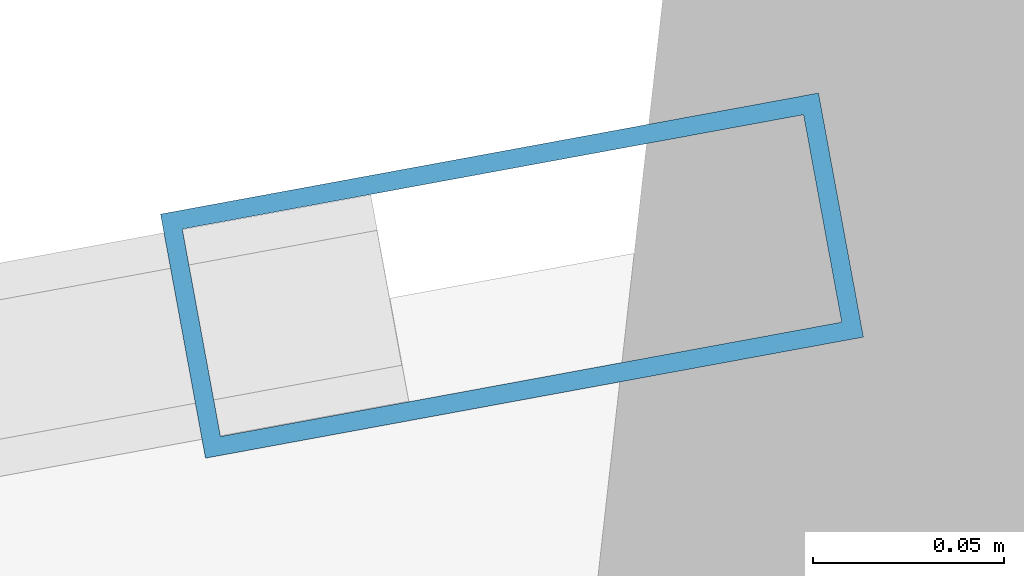
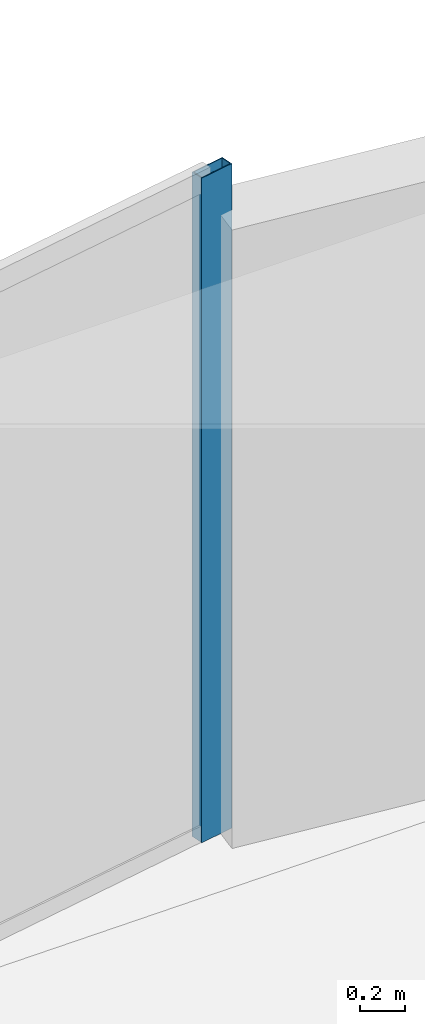
# One storey, part 18 of 25: 1 member, 1 element without a shape of its own.
"""IFC4 building model written with IfcOpenShell, lengths in metres."""

import ifcopenshell
import ifcopenshell.guid

model = None  # the IFC model being written
_history = None  # IfcOwnerHistory: only IFC2X3 demands one
_inside = {}  # id of a spatial element -> (the spatial element, [elements in it])
_under = {}  # id of a project, library or spatial element -> (it, [spatial elements below it])
_declared = {}  # id of a project -> (the project, [libraries it declares])
_typed = {}  # id of a type object -> (the type object, [elements of that type])
_made_of = {}  # id of a material, layer set ... -> (it, [elements and type objects made of it])


def new_model(schema):
    """Start an empty IFC model of exactly this schema.

    Asked for "IFC4X3", IfcOpenShell would pick the latest addendum, in which some entities
    have other attributes; the version numbers below select the first issue.
    IFC2X3 requires an IfcOwnerHistory on every rooted entity: one is made here for all.
    """
    global model, _history
    if schema == "IFC4X3":
        model = ifcopenshell.file(schema_version=(4, 3, 0, 0))
    else:
        model = ifcopenshell.file(schema=schema)
    _inside.clear()
    _under.clear()
    _declared.clear()
    _typed.clear()
    _made_of.clear()
    _history = None
    if model.schema == "IFC2X3":
        org = make("IfcOrganization", Name="unknown")
        user = make(
            "IfcPersonAndOrganization",
            ThePerson=make("IfcPerson", FamilyName="unknown"),
            TheOrganization=org,
        )
        app = make(
            "IfcApplication",
            ApplicationDeveloper=org,
            Version="unknown",
            ApplicationFullName="unknown",
            ApplicationIdentifier="unknown",
        )
        _history = make(
            "IfcOwnerHistory",
            OwningUser=user,
            OwningApplication=app,
            ChangeAction="ADDED",
            CreationDate=0,
        )
    return model


def make(cls, **values):
    """One entity of the class cls with the attributes given. An attribute that is None is left unset."""
    return model.create_entity(
        cls, **{name: value for name, value in values.items() if value is not None}
    )


def rooted(cls, **values):
    """An entity with a GlobalId (a new one), such as an element, a storey or a relation."""
    return make(cls, GlobalId=ifcopenshell.guid.new(), OwnerHistory=_history, **values)


def si_unit(unit_type, name, prefix=None):
    """IfcSIUnit, for example si_unit("LENGTHUNIT", "METRE", prefix="MILLI")."""
    return make("IfcSIUnit", UnitType=unit_type, Prefix=prefix, Name=name)


def assignment(units):
    """IfcUnitAssignment: the units of a project."""
    return None if units is None else make("IfcUnitAssignment", Units=units)


def point(xyz):
    """IfcCartesianPoint."""
    return None if xyz is None else make("IfcCartesianPoint", Coordinates=xyz)


def direction(xyz):
    """IfcDirection."""
    return None if xyz is None else make("IfcDirection", DirectionRatios=xyz)


def frame(location, z_axis=None, x_axis=None):
    """IfcAxis2Placement3D, a coordinate frame: its origin and axes. An axis left out is left unset."""
    return make(
        "IfcAxis2Placement3D",
        Location=point(location),
        Axis=direction(z_axis),
        RefDirection=direction(x_axis),
    )


def frame_2d(location, x_axis=None):
    """IfcAxis2Placement2D, a coordinate frame in the plane: its origin and x axis."""
    return make(
        "IfcAxis2Placement2D", Location=point(location), RefDirection=direction(x_axis)
    )


def origin():
    """The frame at (0, 0, 0) with its axes left unset."""
    return frame((0.0, 0.0, 0.0))


def origin_2d():
    """The frame at (0, 0) in the plane with its x axis left unset."""
    return frame_2d((0.0, 0.0))


def place(relative_to, where):
    """IfcLocalPlacement: puts the frame where relative to a parent placement (None: the world)."""
    return make(
        "IfcLocalPlacement", PlacementRelTo=relative_to, RelativePlacement=where
    )


def context(
    kind, dimensions, precision=None, world=None, true_north=None, identifier=None
):
    """IfcGeometricRepresentationContext, for example the 3D "Model" context."""
    return make(
        "IfcGeometricRepresentationContext",
        ContextIdentifier=identifier,
        ContextType=kind,
        CoordinateSpaceDimension=dimensions,
        Precision=precision,
        WorldCoordinateSystem=world,
        TrueNorth=true_north,
    )


def subcontext(parent, identifier, kind, view, scale=None):
    """IfcGeometricRepresentationSubContext, for example "Body" below "Model"."""
    return make(
        "IfcGeometricRepresentationSubContext",
        ContextIdentifier=identifier,
        ContextType=kind,
        ParentContext=parent,
        TargetScale=scale,
        TargetView=view,
    )


def project(units=None, contexts=None):
    """IfcProject with its units and contexts."""
    return rooted(
        "IfcProject",
        Name="project",
        RepresentationContexts=contexts,
        UnitsInContext=assignment(units),
    )


def spatial(cls, under=None, at=None, **own):
    """A site, building, storey or space (cls), placed at a placement, below another one or the project."""
    s = rooted(cls, ObjectPlacement=at, **own)
    if under is not None:
        _under.setdefault(under.id(), (under, []))[1].append(s)
    return s


def profile(cls, at=None, kind="AREA", **sizes):
    """A parametric profile (cls). Its sizes go by their IFC names, for example OverallWidth=200.0."""
    return make(cls, ProfileType=kind, Position=at, **sizes)


def hollow_rectangle(**sizes):
    """IfcRectangleHollowProfileDef."""
    return profile("IfcRectangleHollowProfileDef", **sizes)


def extrude(swept, where, along, depth):
    """IfcExtrudedAreaSolid: the profile swept, set in the frame where, extruded along a direction by depth."""
    return make(
        "IfcExtrudedAreaSolid",
        SweptArea=swept,
        Position=where,
        ExtrudedDirection=direction(along),
        Depth=depth,
    )


def shape(context_of_items, identifier, shape_type, items):
    """IfcShapeRepresentation: the items that make up one representation, for example the "Body"."""
    return make(
        "IfcShapeRepresentation",
        ContextOfItems=context_of_items,
        RepresentationIdentifier=identifier,
        RepresentationType=shape_type,
        Items=items,
    )


def source(mapping_origin, context_of_items, identifier, shape_type, items):
    """IfcRepresentationMap: a shape defined once, which mapped items show again and again."""
    return make(
        "IfcRepresentationMap",
        MappingOrigin=mapping_origin,
        MappedRepresentation=shape(context_of_items, identifier, shape_type, items),
    )


def transform(
    local_origin,
    x_axis=None,
    y_axis=None,
    z_axis=None,
    scale=None,
    scale2=None,
    scale3=None,
    uniform=True,
):
    """IfcCartesianTransformationOperator3D, or its non-uniform kind. x_axis, y_axis, z_axis: its Axis1, 2, 3."""
    if uniform:
        return make(
            "IfcCartesianTransformationOperator3D",
            Axis1=direction(x_axis),
            Axis2=direction(y_axis),
            LocalOrigin=point(local_origin),
            Scale=scale,
            Axis3=direction(z_axis),
        )
    return make(
        "IfcCartesianTransformationOperator3DnonUniform",
        Axis1=direction(x_axis),
        Axis2=direction(y_axis),
        LocalOrigin=point(local_origin),
        Scale=scale,
        Axis3=direction(z_axis),
        Scale2=scale2,
        Scale3=scale3,
    )


def mapped(mapping_source, mapping_target):
    """IfcMappedItem: shows the shape of a source again, moved by a transform."""
    return make(
        "IfcMappedItem", MappingSource=mapping_source, MappingTarget=mapping_target
    )


def material(Name=None, Category=None):
    """IfcMaterial."""
    return make("IfcMaterial", Name=Name, Category=Category)


def layer(
    of_material, thickness, ventilated=None, Name=None, Category=None, Priority=None
):
    """IfcMaterialLayer: one layer of a wall or slab, of a material (None: an air gap)."""
    return make(
        "IfcMaterialLayer",
        Material=of_material,
        LayerThickness=thickness,
        IsVentilated=ventilated,
        Name=Name,
        Category=Category,
        Priority=Priority,
    )


def layer_set(layers, Name=None):
    """IfcMaterialLayerSet."""
    return make("IfcMaterialLayerSet", MaterialLayers=layers, LayerSetName=Name)


def material_profile(
    of_material, cross_section, Name=None, Category=None, Priority=None
):
    """IfcMaterialProfile: a cross section and its material."""
    return make(
        "IfcMaterialProfile",
        Name=Name,
        Material=of_material,
        Profile=cross_section,
        Priority=Priority,
        Category=Category,
    )


def profile_set(profiles, Name=None, composite=None):
    """IfcMaterialProfileSet."""
    return make(
        "IfcMaterialProfileSet",
        Name=Name,
        MaterialProfiles=profiles,
        CompositeProfile=composite,
    )


def made_of(thing, what):
    """Note that an element or type object is made of a material, layer set ...; save() writes the relation."""
    if what is not None:
        _made_of.setdefault(what.id(), (what, []))[1].append(thing)
    return thing


def type_object(cls, material=None, **own):
    """A type object (cls), such as IfcWallType, which elements share."""
    return made_of(rooted(cls, **own), material)


def element(
    cls,
    number,
    at=None,
    inside=None,
    cuts=None,
    type_object=None,
    material=None,
    context=None,
    identifier="Body",
    shape_type=None,
    held_by="IfcProductDefinitionShape",
    body=None,
    shapes=None,
    **own,
):
    """One element of the class cls, such as IfcWall. Its Tag is "e" and its number.

    at: its placement. inside: the storey or other place that contains it. cuts: it is an
    opening in that element (IfcRelVoidsElement). A single representation is given by context,
    identifier, shape_type and body (its items); several are given by shapes. held_by: the class
    of the entity that holds the representations. save() writes the other relations.
    """
    e = rooted(cls, Tag="e%d" % number, ObjectPlacement=at, **own)
    if body is not None:
        shapes = [shape(context, identifier, shape_type, body)]
    if shapes is not None:
        e.Representation = make(held_by, Representations=shapes)
    if inside is not None:
        _inside.setdefault(inside.id(), (inside, []))[1].append(e)
    if cuts is not None:
        rooted(
            "IfcRelVoidsElement", RelatingBuildingElement=cuts, RelatedOpeningElement=e
        )
    if type_object is not None:
        _typed.setdefault(type_object.id(), (type_object, []))[1].append(e)
    return made_of(e, material)


def aggregate(whole, parts):
    """IfcRelAggregates: a whole, such as a stair, and the parts it consists of."""
    return rooted("IfcRelAggregates", RelatingObject=whole, RelatedObjects=parts)


def save(model, path):
    """Write the relations noted so far, then the file.

    IfcRelAggregates (storeys below a building ...), IfcRelContainedInSpatialStructure (elements
    in a storey), IfcRelDefinesByType, IfcRelAssociatesMaterial and IfcRelDeclares: one each for
    every whole, place, type object, material and project.
    """
    for whole, parts in _under.values():
        aggregate(whole, parts)
    for where, things in _inside.values():
        rooted(
            "IfcRelContainedInSpatialStructure",
            RelatedElements=things,
            RelatingStructure=where,
        )
    for kind, things in _typed.values():
        rooted("IfcRelDefinesByType", RelatedObjects=things, RelatingType=kind)
    for what, things in _made_of.values():
        rooted("IfcRelAssociatesMaterial", RelatedObjects=things, RelatingMaterial=what)
    for by, libraries in _declared.values():
        rooted("IfcRelDeclares", RelatingContext=by, RelatedDefinitions=libraries)
    model.write(path)


model = new_model("IFC4")

# Units and contexts
model_context = context("Model", 3, precision=1e-05, world=origin(), true_north=direction((0.0, 1.0)))
body_context = subcontext(model_context, "Body", "Model", "MODEL_VIEW")
ifc_project = project(units=[si_unit("LENGTHUNIT", "METRE"), si_unit("AREAUNIT", "SQUARE_METRE"), si_unit("VOLUMEUNIT", "CUBIC_METRE"), si_unit("PLANEANGLEUNIT", "RADIAN"), si_unit("MASSUNIT", "GRAM", prefix="KILO")], contexts=[model_context])

# Site, building, storey
site_placement = place(None, origin())
site = spatial("IfcSite", under=ifc_project, at=site_placement, CompositionType="ELEMENT")
building_placement = place(site_placement, origin())
building = spatial("IfcBuilding", under=site, at=building_placement, Name="Solvirekh Grand Hotel", CompositionType="ELEMENT")
storey_placement = place(building_placement, frame((0.0, 0.0, 106.199951171875)))
storey = spatial("IfcBuildingStorey", under=building, at=storey_placement, Name="L26", CompositionType="ELEMENT", Elevation=106.199951171875)

# Curtain wall, member
ifc_material = material(Name="Anodized Bronze Aluminium 6063-T6", Category="aluminium")
ifc_layer = layer(ifc_material, 0.175048828125)
ifc_layer_set = layer_set([ifc_layer], Name="Anodized Bronze Aluminium 6063-T6")
curtain_wall_type = type_object("IfcCurtainWallType", Name="CW_Sys3_MidZoneFlushBronzeCW", PredefinedType="NOTDEFINED", material=ifc_layer_set)
curtain_wall_placement = place(storey_placement, origin())
curtain_wall = element("IfcCurtainWall", 1, at=curtain_wall_placement, inside=storey, type_object=curtain_wall_type, Name="L26 unitised bronze-glass curtain wall CW-L26-C08", PredefinedType="NOTDEFINED")
ifc_material_profile = material_profile(ifc_material, hollow_rectangle(XDim=0.06494140625, YDim=0.175048828125, WallThickness=0.0048828125, at=origin_2d()), Name="ALU RHS 175X65X5")
ifc_profile_set = profile_set([ifc_material_profile], Name="Anodized Bronze Aluminium 6063-T6")
member_type = type_object("IfcMemberType", Name="CWMullion_Sys3", PredefinedType="MULLION", material=ifc_profile_set)
shared_shape = source(origin(), body_context, "Body", "SweptSolid", [
    extrude(hollow_rectangle(XDim=0.06494140625, YDim=0.175048828125, WallThickness=0.0048828125, at=origin_2d()), origin(), (0.0, 0.0, 1.0), 3.60009765625),
])
member_placement = place(storey_placement, frame((-3.242919921875, 21.26708984375, 0.0), z_axis=(0.0, 0.0, 1.0), x_axis=(0.180987633873, -0.983485371719, 0.0)))
member = element("IfcMember", 2, at=member_placement, type_object=member_type, Name="U03 mullion 1", PredefinedType="MULLION", context=body_context, shape_type="MappedRepresentation", body=[
    mapped(shared_shape, transform((0.0, 0.0, 0.0), x_axis=(1.0, 0.0, 0.0), y_axis=(0.0, 1.0, 0.0), z_axis=(0.0, 0.0, 1.0), scale=1.0)),
])
aggregate(curtain_wall, [member])

save(model, "model.ifc")
